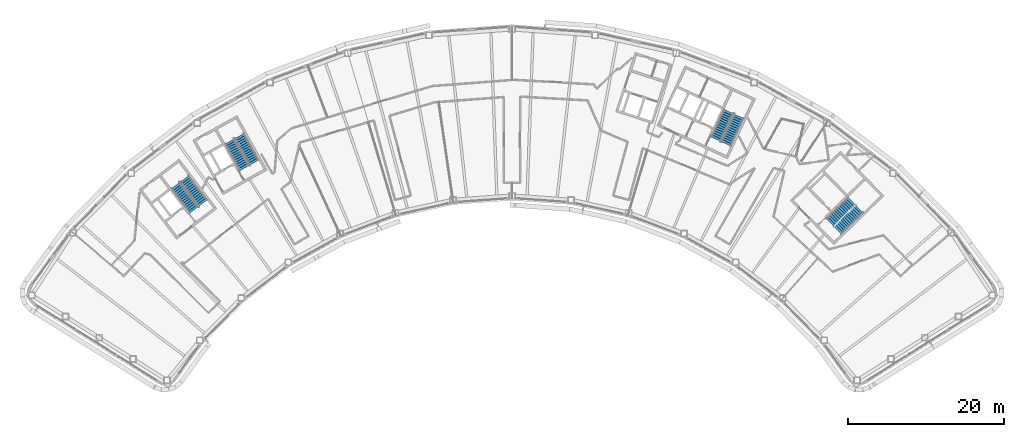
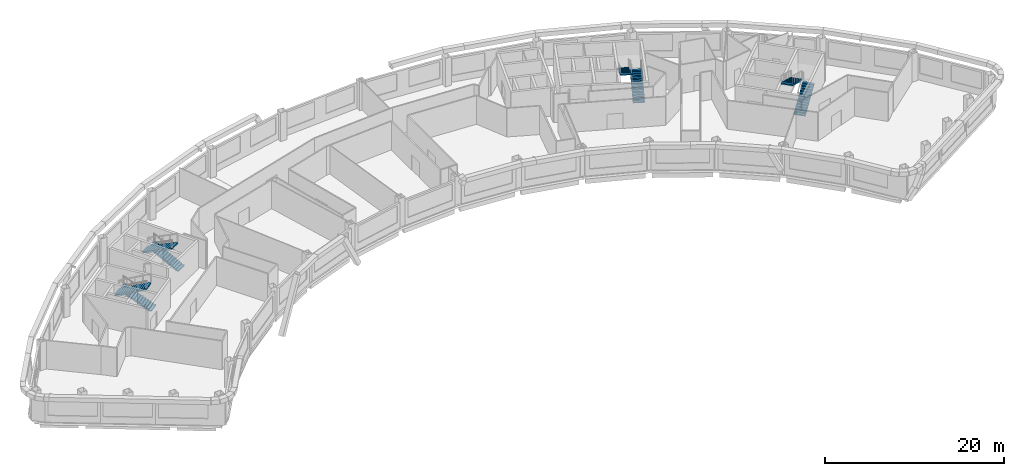
# One storey, part 11 of 16: 8 stair flights, 4 elements without a shape of their own.
"""IFC4 building model written with IfcOpenShell, lengths in metres."""

import ifcopenshell
import ifcopenshell.guid

model = None  # the IFC model being written
_history = None  # IfcOwnerHistory: only IFC2X3 demands one
_inside = {}  # id of a spatial element -> (the spatial element, [elements in it])
_under = {}  # id of a project, library or spatial element -> (it, [spatial elements below it])
_declared = {}  # id of a project -> (the project, [libraries it declares])
_typed = {}  # id of a type object -> (the type object, [elements of that type])
_made_of = {}  # id of a material, layer set ... -> (it, [elements and type objects made of it])


def new_model(schema):
    """Start an empty IFC model of exactly this schema.

    Asked for "IFC4X3", IfcOpenShell would pick the latest addendum, in which some entities
    have other attributes; the version numbers below select the first issue.
    IFC2X3 requires an IfcOwnerHistory on every rooted entity: one is made here for all.
    """
    global model, _history
    if schema == "IFC4X3":
        model = ifcopenshell.file(schema_version=(4, 3, 0, 0))
    else:
        model = ifcopenshell.file(schema=schema)
    _inside.clear()
    _under.clear()
    _declared.clear()
    _typed.clear()
    _made_of.clear()
    _history = None
    if model.schema == "IFC2X3":
        org = make("IfcOrganization", Name="unknown")
        user = make(
            "IfcPersonAndOrganization",
            ThePerson=make("IfcPerson", FamilyName="unknown"),
            TheOrganization=org,
        )
        app = make(
            "IfcApplication",
            ApplicationDeveloper=org,
            Version="unknown",
            ApplicationFullName="unknown",
            ApplicationIdentifier="unknown",
        )
        _history = make(
            "IfcOwnerHistory",
            OwningUser=user,
            OwningApplication=app,
            ChangeAction="ADDED",
            CreationDate=0,
        )
    return model


def make(cls, **values):
    """One entity of the class cls with the attributes given. An attribute that is None is left unset."""
    return model.create_entity(
        cls, **{name: value for name, value in values.items() if value is not None}
    )


def rooted(cls, **values):
    """An entity with a GlobalId (a new one), such as an element, a storey or a relation."""
    return make(cls, GlobalId=ifcopenshell.guid.new(), OwnerHistory=_history, **values)


def si_unit(unit_type, name, prefix=None):
    """IfcSIUnit, for example si_unit("LENGTHUNIT", "METRE", prefix="MILLI")."""
    return make("IfcSIUnit", UnitType=unit_type, Prefix=prefix, Name=name)


def assignment(units):
    """IfcUnitAssignment: the units of a project."""
    return None if units is None else make("IfcUnitAssignment", Units=units)


def point(xyz):
    """IfcCartesianPoint."""
    return None if xyz is None else make("IfcCartesianPoint", Coordinates=xyz)


def direction(xyz):
    """IfcDirection."""
    return None if xyz is None else make("IfcDirection", DirectionRatios=xyz)


def frame(location, z_axis=None, x_axis=None):
    """IfcAxis2Placement3D, a coordinate frame: its origin and axes. An axis left out is left unset."""
    return make(
        "IfcAxis2Placement3D",
        Location=point(location),
        Axis=direction(z_axis),
        RefDirection=direction(x_axis),
    )


def origin():
    """The frame at (0, 0, 0) with its axes left unset."""
    return frame((0.0, 0.0, 0.0))


def place(relative_to, where):
    """IfcLocalPlacement: puts the frame where relative to a parent placement (None: the world)."""
    return make(
        "IfcLocalPlacement", PlacementRelTo=relative_to, RelativePlacement=where
    )


def context(
    kind, dimensions, precision=None, world=None, true_north=None, identifier=None
):
    """IfcGeometricRepresentationContext, for example the 3D "Model" context."""
    return make(
        "IfcGeometricRepresentationContext",
        ContextIdentifier=identifier,
        ContextType=kind,
        CoordinateSpaceDimension=dimensions,
        Precision=precision,
        WorldCoordinateSystem=world,
        TrueNorth=true_north,
    )


def subcontext(parent, identifier, kind, view, scale=None):
    """IfcGeometricRepresentationSubContext, for example "Body" below "Model"."""
    return make(
        "IfcGeometricRepresentationSubContext",
        ContextIdentifier=identifier,
        ContextType=kind,
        ParentContext=parent,
        TargetScale=scale,
        TargetView=view,
    )


def project(units=None, contexts=None):
    """IfcProject with its units and contexts."""
    return rooted(
        "IfcProject",
        Name="project",
        RepresentationContexts=contexts,
        UnitsInContext=assignment(units),
    )


def spatial(cls, under=None, at=None, **own):
    """A site, building, storey or space (cls), placed at a placement, below another one or the project."""
    s = rooted(cls, ObjectPlacement=at, **own)
    if under is not None:
        _under.setdefault(under.id(), (under, []))[1].append(s)
    return s


def polyline(points):
    """IfcPolyline through the points."""
    return make("IfcPolyline", Points=[point(p) for p in points])


def outline(outer, holes=None, kind="AREA"):
    """IfcArbitraryClosedProfileDef: a profile drawn as a closed curve; with holes, ...WithVoids."""
    if holes is None:
        return make("IfcArbitraryClosedProfileDef", ProfileType=kind, OuterCurve=outer)
    return make(
        "IfcArbitraryProfileDefWithVoids",
        ProfileType=kind,
        OuterCurve=outer,
        InnerCurves=holes,
    )


def extrude(swept, where, along, depth):
    """IfcExtrudedAreaSolid: the profile swept, set in the frame where, extruded along a direction by depth."""
    return make(
        "IfcExtrudedAreaSolid",
        SweptArea=swept,
        Position=where,
        ExtrudedDirection=direction(along),
        Depth=depth,
    )


def shape(context_of_items, identifier, shape_type, items):
    """IfcShapeRepresentation: the items that make up one representation, for example the "Body"."""
    return make(
        "IfcShapeRepresentation",
        ContextOfItems=context_of_items,
        RepresentationIdentifier=identifier,
        RepresentationType=shape_type,
        Items=items,
    )


def material(Name=None, Category=None):
    """IfcMaterial."""
    return make("IfcMaterial", Name=Name, Category=Category)


def made_of(thing, what):
    """Note that an element or type object is made of a material, layer set ...; save() writes the relation."""
    if what is not None:
        _made_of.setdefault(what.id(), (what, []))[1].append(thing)
    return thing


def type_object(cls, material=None, **own):
    """A type object (cls), such as IfcWallType, which elements share."""
    return made_of(rooted(cls, **own), material)


def element(
    cls,
    number,
    at=None,
    inside=None,
    cuts=None,
    type_object=None,
    material=None,
    context=None,
    identifier="Body",
    shape_type=None,
    held_by="IfcProductDefinitionShape",
    body=None,
    shapes=None,
    **own,
):
    """One element of the class cls, such as IfcWall. Its Tag is "e" and its number.

    at: its placement. inside: the storey or other place that contains it. cuts: it is an
    opening in that element (IfcRelVoidsElement). A single representation is given by context,
    identifier, shape_type and body (its items); several are given by shapes. held_by: the class
    of the entity that holds the representations. save() writes the other relations.
    """
    e = rooted(cls, Tag="e%d" % number, ObjectPlacement=at, **own)
    if body is not None:
        shapes = [shape(context, identifier, shape_type, body)]
    if shapes is not None:
        e.Representation = make(held_by, Representations=shapes)
    if inside is not None:
        _inside.setdefault(inside.id(), (inside, []))[1].append(e)
    if cuts is not None:
        rooted(
            "IfcRelVoidsElement", RelatingBuildingElement=cuts, RelatedOpeningElement=e
        )
    if type_object is not None:
        _typed.setdefault(type_object.id(), (type_object, []))[1].append(e)
    return made_of(e, material)


def aggregate(whole, parts):
    """IfcRelAggregates: a whole, such as a stair, and the parts it consists of."""
    return rooted("IfcRelAggregates", RelatingObject=whole, RelatedObjects=parts)


def save(model, path):
    """Write the relations noted so far, then the file.

    IfcRelAggregates (storeys below a building ...), IfcRelContainedInSpatialStructure (elements
    in a storey), IfcRelDefinesByType, IfcRelAssociatesMaterial and IfcRelDeclares: one each for
    every whole, place, type object, material and project.
    """
    for whole, parts in _under.values():
        aggregate(whole, parts)
    for where, things in _inside.values():
        rooted(
            "IfcRelContainedInSpatialStructure",
            RelatedElements=things,
            RelatingStructure=where,
        )
    for kind, things in _typed.values():
        rooted("IfcRelDefinesByType", RelatedObjects=things, RelatingType=kind)
    for what, things in _made_of.values():
        rooted("IfcRelAssociatesMaterial", RelatedObjects=things, RelatingMaterial=what)
    for by, libraries in _declared.values():
        rooted("IfcRelDeclares", RelatingContext=by, RelatedDefinitions=libraries)
    model.write(path)


model = new_model("IFC4")

# Units and contexts
model_context = context("Model", 3, precision=1e-05, world=origin(), true_north=direction((0.0, 1.0)))
body_context = subcontext(model_context, "Body", "Model", "MODEL_VIEW")
ifc_project = project(units=[si_unit("LENGTHUNIT", "METRE"), si_unit("AREAUNIT", "SQUARE_METRE"), si_unit("VOLUMEUNIT", "CUBIC_METRE"), si_unit("PLANEANGLEUNIT", "RADIAN"), si_unit("MASSUNIT", "GRAM", prefix="KILO")], contexts=[model_context])

# Site, building, storey
site_placement = place(None, origin())
site = spatial("IfcSite", under=ifc_project, at=site_placement, CompositionType="ELEMENT")
building_placement = place(site_placement, origin())
building = spatial("IfcBuilding", under=site, at=building_placement, Name="Tuul Gate Civic Tower", CompositionType="ELEMENT")
storey_placement = place(building_placement, frame((0.0, 0.0, 298.39990234375)))
storey = spatial("IfcBuildingStorey", under=building, at=storey_placement, Name="Level 67", CompositionType="ELEMENT", Elevation=298.39990234375)

# Stair, stair flights
ifc_material_1 = material(Name="Concrete C40/50", Category="concrete")
stair_type = type_object("IfcStairType", Name="Exit stair", PredefinedType="HALF_TURN_STAIR", material=ifc_material_1)
stair_1_placement = place(storey_placement, origin())
stair_1 = element("IfcStair", 1, at=stair_1_placement, inside=storey, type_object=stair_type, Name="Level 67 ST-1", PredefinedType="HALF_TURN_STAIR")
ifc_material_2 = material(Name="Concrete C40/50", Category="concrete")
stair_flight_type = type_object("IfcStairFlightType", Name="Exit stair flight", PredefinedType="STRAIGHT", material=ifc_material_2)
stair_flight_1_placement = place(storey_placement, frame((-32.875244140625, -13.066650390625, 0.0), z_axis=(0.0, 0.0, 1.0), x_axis=(-0.605764474941, 0.795644016442, 0.0)))
stair_flight_1 = element("IfcStairFlight", 2, at=stair_flight_1_placement, type_object=stair_flight_type, Name="ST-1 flight 1", NumberOfRisers=14, NumberOfTreads=13, PredefinedType="STRAIGHT", RiserHeight=0.15, TreadLength=0.3, context=body_context, shape_type="SweptSolid", body=[
    extrude(outline(polyline([(0.0, 0.0), (0.0, 0.14990234375), (0.300048828125, 0.14990234375), (0.300048828125, 0.300048828125), (0.60009765625, 0.300048828125), (0.60009765625, 0.449951171875), (0.89990234375, 0.449951171875), (0.89990234375, 0.60009765625), (1.199951171875, 0.60009765625), (1.199951171875, 0.75), (1.5, 0.75), (1.5, 0.89990234375), (1.800048828125, 0.89990234375), (1.800048828125, 1.050048828125), (2.10009765625, 1.050048828125), (2.10009765625, 1.199951171875), (2.39990234375, 1.199951171875), (2.39990234375, 1.35009765625), (2.699951171875, 1.35009765625), (2.699951171875, 1.5), (3.0, 1.5), (3.0, 1.64990234375), (3.300048828125, 1.64990234375), (3.300048828125, 1.800048828125), (3.60009765625, 1.800048828125), (3.60009765625, 1.949951171875), (3.89990234375, 1.949951171875), (3.89990234375, 2.10009765625), (3.89990234375, 1.782470703125), (0.335205078125, 0.0), (0.0, 0.0)])), frame((0.0, 0.675048828125, 0.0), z_axis=(0.0, -1.0, 0.0), x_axis=(1.0, 0.0, 0.0)), (0.0, 0.0, 1.0), 1.35009765625),
])
stair_flight_2_placement = place(storey_placement, frame((-36.391357421875, -10.842041015625, 2.10009765625), z_axis=(0.0, 0.0, 1.0), x_axis=(0.605764474941, -0.795644016442, 0.0)))
stair_flight_2 = element("IfcStairFlight", 3, at=stair_flight_2_placement, type_object=stair_flight_type, Name="ST-1 flight 2", NumberOfRisers=14, NumberOfTreads=13, PredefinedType="STRAIGHT", RiserHeight=0.15, TreadLength=0.3, context=body_context, shape_type="SweptSolid", body=[
    extrude(outline(polyline([(0.0, 0.0), (0.0, 0.14990234375), (0.300048828125, 0.14990234375), (0.300048828125, 0.300048828125), (0.60009765625, 0.300048828125), (0.60009765625, 0.449951171875), (0.89990234375, 0.449951171875), (0.89990234375, 0.60009765625), (1.199951171875, 0.60009765625), (1.199951171875, 0.75), (1.5, 0.75), (1.5, 0.89990234375), (1.800048828125, 0.89990234375), (1.800048828125, 1.050048828125), (2.10009765625, 1.050048828125), (2.10009765625, 1.199951171875), (2.39990234375, 1.199951171875), (2.39990234375, 1.35009765625), (2.699951171875, 1.35009765625), (2.699951171875, 1.5), (3.0, 1.5), (3.0, 1.64990234375), (3.300048828125, 1.64990234375), (3.300048828125, 1.800048828125), (3.60009765625, 1.800048828125), (3.60009765625, 1.949951171875), (3.89990234375, 1.949951171875), (3.89990234375, 2.10009765625), (3.89990234375, 1.782470703125), (0.335205078125, 0.0), (0.0, 0.0)])), frame((0.0, 0.675048828125, 0.0), z_axis=(0.0, -1.0, 0.0), x_axis=(1.0, 0.0, 0.0)), (0.0, 0.0, 1.0), 1.35009765625),
])
aggregate(stair_1, [stair_flight_1, stair_flight_2])

stair_2_placement = place(storey_placement, origin())
stair_2 = element("IfcStair", 4, at=stair_2_placement, inside=storey, type_object=stair_type, Name="Level 67 ST-2", PredefinedType="HALF_TURN_STAIR")
stair_flight_3_placement = place(storey_placement, frame((-26.29150390625, -7.87646484375, 0.0), z_axis=(0.0, 0.0, 1.0), x_axis=(-0.484761763766, 0.874646232708, 0.0)))
stair_flight_3 = element("IfcStairFlight", 5, at=stair_flight_3_placement, type_object=stair_flight_type, Name="ST-2 flight 1", NumberOfRisers=14, NumberOfTreads=13, PredefinedType="STRAIGHT", RiserHeight=0.15, TreadLength=0.3, context=body_context, shape_type="SweptSolid", body=[
    extrude(outline(polyline([(0.0, 0.0), (0.0, 0.14990234375), (0.300048828125, 0.14990234375), (0.300048828125, 0.300048828125), (0.60009765625, 0.300048828125), (0.60009765625, 0.449951171875), (0.89990234375, 0.449951171875), (0.89990234375, 0.60009765625), (1.199951171875, 0.60009765625), (1.199951171875, 0.75), (1.5, 0.75), (1.5, 0.89990234375), (1.800048828125, 0.89990234375), (1.800048828125, 1.050048828125), (2.10009765625, 1.050048828125), (2.10009765625, 1.199951171875), (2.39990234375, 1.199951171875), (2.39990234375, 1.35009765625), (2.699951171875, 1.35009765625), (2.699951171875, 1.5), (3.0, 1.5), (3.0, 1.64990234375), (3.300048828125, 1.64990234375), (3.300048828125, 1.800048828125), (3.60009765625, 1.800048828125), (3.60009765625, 1.949951171875), (3.89990234375, 1.949951171875), (3.89990234375, 2.10009765625), (3.89990234375, 1.782470703125), (0.335205078125, 0.0), (0.0, 0.0)])), frame((0.0, 0.675048828125, 0.0), z_axis=(0.0, -1.0, 0.0), x_axis=(1.0, 0.0, 0.0)), (0.0, 0.0, 1.0), 1.35009765625),
])
stair_flight_4_placement = place(storey_placement, frame((-29.450439453125, -5.168212890625, 2.10009765625), z_axis=(0.0, 0.0, 1.0), x_axis=(0.484761763766, -0.874646232708, 0.0)))
stair_flight_4 = element("IfcStairFlight", 6, at=stair_flight_4_placement, type_object=stair_flight_type, Name="ST-2 flight 2", NumberOfRisers=14, NumberOfTreads=13, PredefinedType="STRAIGHT", RiserHeight=0.15, TreadLength=0.3, context=body_context, shape_type="SweptSolid", body=[
    extrude(outline(polyline([(0.0, 0.0), (0.0, 0.14990234375), (0.300048828125, 0.14990234375), (0.300048828125, 0.300048828125), (0.60009765625, 0.300048828125), (0.60009765625, 0.449951171875), (0.89990234375, 0.449951171875), (0.89990234375, 0.60009765625), (1.199951171875, 0.60009765625), (1.199951171875, 0.75), (1.5, 0.75), (1.5, 0.89990234375), (1.800048828125, 0.89990234375), (1.800048828125, 1.050048828125), (2.10009765625, 1.050048828125), (2.10009765625, 1.199951171875), (2.39990234375, 1.199951171875), (2.39990234375, 1.35009765625), (2.699951171875, 1.35009765625), (2.699951171875, 1.5), (3.0, 1.5), (3.0, 1.64990234375), (3.300048828125, 1.64990234375), (3.300048828125, 1.800048828125), (3.60009765625, 1.800048828125), (3.60009765625, 1.949951171875), (3.89990234375, 1.949951171875), (3.89990234375, 2.10009765625), (3.89990234375, 1.782470703125), (0.335205078125, 0.0), (0.0, 0.0)])), frame((0.0, 0.675048828125, 0.0), z_axis=(0.0, -1.0, 0.0), x_axis=(1.0, 0.0, 0.0)), (0.0, 0.0, 1.0), 1.35009765625),
])
aggregate(stair_2, [stair_flight_3, stair_flight_4])

stair_3_placement = place(storey_placement, origin())
stair_3 = element("IfcStair", 7, at=stair_3_placement, inside=storey, type_object=stair_type, Name="Level 67 ST-3", PredefinedType="HALF_TURN_STAIR")
stair_flight_5_placement = place(storey_placement, frame((48.61376953125, -16.581787109375, 0.0), z_axis=(0.0, 0.0, 1.0), x_axis=(0.714127290059, 0.700015866672, 0.0)))
stair_flight_5 = element("IfcStairFlight", 8, at=stair_flight_5_placement, type_object=stair_flight_type, Name="ST-3 flight 1", NumberOfRisers=14, NumberOfTreads=13, PredefinedType="STRAIGHT", RiserHeight=0.15, TreadLength=0.3, context=body_context, shape_type="SweptSolid", body=[
    extrude(outline(polyline([(0.0, 0.0), (0.0, 0.14990234375), (0.300048828125, 0.14990234375), (0.300048828125, 0.300048828125), (0.60009765625, 0.300048828125), (0.60009765625, 0.449951171875), (0.89990234375, 0.449951171875), (0.89990234375, 0.60009765625), (1.199951171875, 0.60009765625), (1.199951171875, 0.75), (1.5, 0.75), (1.5, 0.89990234375), (1.800048828125, 0.89990234375), (1.800048828125, 1.050048828125), (2.10009765625, 1.050048828125), (2.10009765625, 1.199951171875), (2.39990234375, 1.199951171875), (2.39990234375, 1.35009765625), (2.699951171875, 1.35009765625), (2.699951171875, 1.5), (3.0, 1.5), (3.0, 1.64990234375), (3.300048828125, 1.64990234375), (3.300048828125, 1.800048828125), (3.60009765625, 1.800048828125), (3.60009765625, 1.949951171875), (3.89990234375, 1.949951171875), (3.89990234375, 2.10009765625), (3.89990234375, 1.782470703125), (0.335205078125, 0.0), (0.0, 0.0)])), frame((0.0, 0.675048828125, 0.0), z_axis=(0.0, -1.0, 0.0), x_axis=(1.0, 0.0, 0.0)), (0.0, 0.0, 1.0), 1.35009765625),
])
stair_flight_6_placement = place(storey_placement, frame((50.3837890625, -12.816162109375, 2.10009765625), z_axis=(0.0, 0.0, 1.0), x_axis=(-0.714127290059, -0.700015866672, 0.0)))
stair_flight_6 = element("IfcStairFlight", 9, at=stair_flight_6_placement, type_object=stair_flight_type, Name="ST-3 flight 2", NumberOfRisers=14, NumberOfTreads=13, PredefinedType="STRAIGHT", RiserHeight=0.15, TreadLength=0.3, context=body_context, shape_type="SweptSolid", body=[
    extrude(outline(polyline([(0.0, 0.0), (0.0, 0.14990234375), (0.300048828125, 0.14990234375), (0.300048828125, 0.300048828125), (0.60009765625, 0.300048828125), (0.60009765625, 0.449951171875), (0.89990234375, 0.449951171875), (0.89990234375, 0.60009765625), (1.199951171875, 0.60009765625), (1.199951171875, 0.75), (1.5, 0.75), (1.5, 0.89990234375), (1.800048828125, 0.89990234375), (1.800048828125, 1.050048828125), (2.10009765625, 1.050048828125), (2.10009765625, 1.199951171875), (2.39990234375, 1.199951171875), (2.39990234375, 1.35009765625), (2.699951171875, 1.35009765625), (2.699951171875, 1.5), (3.0, 1.5), (3.0, 1.64990234375), (3.300048828125, 1.64990234375), (3.300048828125, 1.800048828125), (3.60009765625, 1.800048828125), (3.60009765625, 1.949951171875), (3.89990234375, 1.949951171875), (3.89990234375, 2.10009765625), (3.89990234375, 1.782470703125), (0.335205078125, 0.0), (0.0, 0.0)])), frame((0.0, 0.675048828125, 0.0), z_axis=(0.0, -1.0, 0.0), x_axis=(1.0, 0.0, 0.0)), (0.0, 0.0, 1.0), 1.35009765625),
])
aggregate(stair_3, [stair_flight_5, stair_flight_6])

stair_4_placement = place(storey_placement, origin())
stair_4 = element("IfcStair", 10, at=stair_4_placement, inside=storey, type_object=stair_type, Name="Level 67 ST-4", PredefinedType="HALF_TURN_STAIR")
stair_flight_7_placement = place(storey_placement, frame((34.278564453125, -5.478515625, 0.0), z_axis=(0.0, 0.0, 1.0), x_axis=(0.422576295988, 0.906327354806, 0.0)))
stair_flight_7 = element("IfcStairFlight", 11, at=stair_flight_7_placement, type_object=stair_flight_type, Name="ST-4 flight 1", NumberOfRisers=14, NumberOfTreads=13, PredefinedType="STRAIGHT", RiserHeight=0.15, TreadLength=0.3, context=body_context, shape_type="SweptSolid", body=[
    extrude(outline(polyline([(0.0, 0.0), (0.0, 0.14990234375), (0.300048828125, 0.14990234375), (0.300048828125, 0.300048828125), (0.60009765625, 0.300048828125), (0.60009765625, 0.449951171875), (0.89990234375, 0.449951171875), (0.89990234375, 0.60009765625), (1.199951171875, 0.60009765625), (1.199951171875, 0.75), (1.5, 0.75), (1.5, 0.89990234375), (1.800048828125, 0.89990234375), (1.800048828125, 1.050048828125), (2.10009765625, 1.050048828125), (2.10009765625, 1.199951171875), (2.39990234375, 1.199951171875), (2.39990234375, 1.35009765625), (2.699951171875, 1.35009765625), (2.699951171875, 1.5), (3.0, 1.5), (3.0, 1.64990234375), (3.300048828125, 1.64990234375), (3.300048828125, 1.800048828125), (3.60009765625, 1.800048828125), (3.60009765625, 1.949951171875), (3.89990234375, 1.949951171875), (3.89990234375, 2.10009765625), (3.89990234375, 1.782470703125), (0.335205078125, 0.0), (0.0, 0.0)])), frame((0.0, 0.675048828125, 0.0), z_axis=(0.0, -1.0, 0.0), x_axis=(1.0, 0.0, 0.0)), (0.0, 0.0, 1.0), 1.35009765625),
])
stair_flight_8_placement = place(storey_placement, frame((34.612548828125, -1.3310546875, 2.10009765625), z_axis=(0.0, 0.0, 1.0), x_axis=(-0.422576295988, -0.906327354806, 0.0)))
stair_flight_8 = element("IfcStairFlight", 12, at=stair_flight_8_placement, type_object=stair_flight_type, Name="ST-4 flight 2", NumberOfRisers=14, NumberOfTreads=13, PredefinedType="STRAIGHT", RiserHeight=0.15, TreadLength=0.3, context=body_context, shape_type="SweptSolid", body=[
    extrude(outline(polyline([(0.0, 0.0), (0.0, 0.14990234375), (0.300048828125, 0.14990234375), (0.300048828125, 0.300048828125), (0.60009765625, 0.300048828125), (0.60009765625, 0.449951171875), (0.89990234375, 0.449951171875), (0.89990234375, 0.60009765625), (1.199951171875, 0.60009765625), (1.199951171875, 0.75), (1.5, 0.75), (1.5, 0.89990234375), (1.800048828125, 0.89990234375), (1.800048828125, 1.050048828125), (2.10009765625, 1.050048828125), (2.10009765625, 1.199951171875), (2.39990234375, 1.199951171875), (2.39990234375, 1.35009765625), (2.699951171875, 1.35009765625), (2.699951171875, 1.5), (3.0, 1.5), (3.0, 1.64990234375), (3.300048828125, 1.64990234375), (3.300048828125, 1.800048828125), (3.60009765625, 1.800048828125), (3.60009765625, 1.949951171875), (3.89990234375, 1.949951171875), (3.89990234375, 2.10009765625), (3.89990234375, 1.782470703125), (0.335205078125, 0.0), (0.0, 0.0)])), frame((0.0, 0.675048828125, 0.0), z_axis=(0.0, -1.0, 0.0), x_axis=(1.0, 0.0, 0.0)), (0.0, 0.0, 1.0), 1.35009765625),
])
aggregate(stair_4, [stair_flight_7, stair_flight_8])

save(model, "model.ifc")
